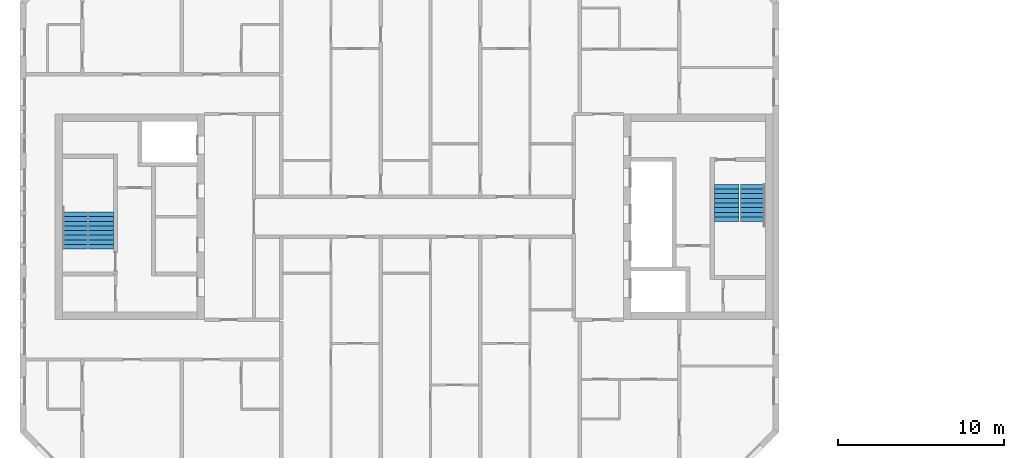
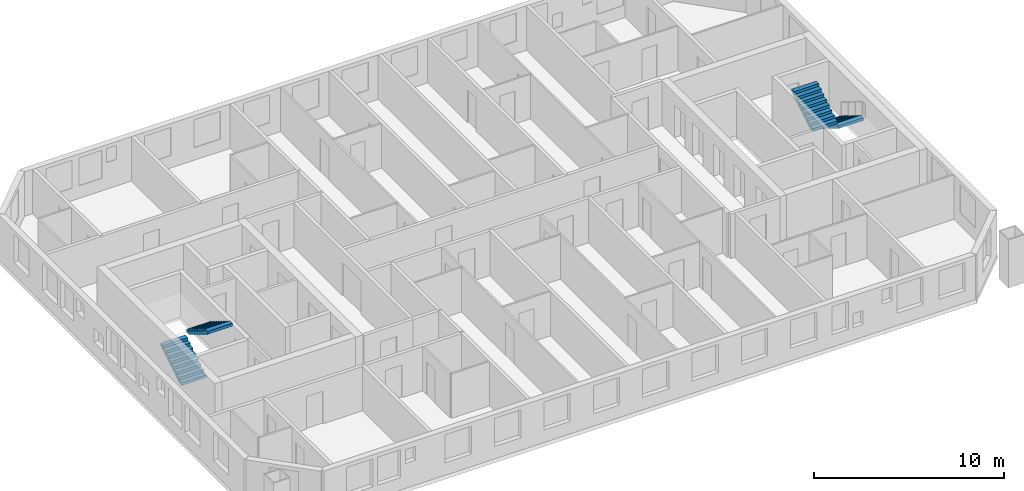
# One storey, part 15 of 16: 4 stair flights, 2 elements without a shape of their own.
"""IFC4 building model written with IfcOpenShell, lengths in metres."""

from ifc_helpers import new_model, si_unit, direction, frame, origin, place, context, subcontext, project, spatial, faceted_brep, material, type_object, element, aggregate, save


model = new_model("IFC4")

# Units and contexts
model_context = context("Model", 3, precision=1e-05, world=origin(), true_north=direction((0.0, 1.0)))
body_context = subcontext(model_context, "Body", "Model", "MODEL_VIEW")
ifc_project = project(units=[si_unit("LENGTHUNIT", "METRE"), si_unit("AREAUNIT", "SQUARE_METRE"), si_unit("VOLUMEUNIT", "CUBIC_METRE"), si_unit("PLANEANGLEUNIT", "RADIAN"), si_unit("MASSUNIT", "GRAM", prefix="KILO")], contexts=[model_context])

# Site, building, storey
site_placement = place(None, origin())
site = spatial("IfcSite", under=ifc_project, at=site_placement, CompositionType="ELEMENT")
building_placement = place(site_placement, origin())
building = spatial("IfcBuilding", under=site, at=building_placement, Name="Tuart Gate Housing", CompositionType="ELEMENT")
storey_placement = place(building_placement, frame((0.0, 0.0, 178.89990234375)))
storey = spatial("IfcBuildingStorey", under=building, at=storey_placement, Name="L50", CompositionType="ELEMENT", Elevation=178.89990234375)

# Stair, stair flights
ifc_material_1 = material(Name="Concrete C40", Category="concrete")
stair_type = type_object("IfcStairType", Name="Core stair 1500", PredefinedType="HALF_TURN_STAIR", material=ifc_material_1)
stair_1_placement = place(storey_placement, origin())
stair_1 = element("IfcStair", 1, at=stair_1_placement, inside=storey, type_object=stair_type, Name="Stair SA1", PredefinedType="HALF_TURN_STAIR")
ifc_material_2 = material(Name="Concrete C40", Category="concrete")
stair_flight_type = type_object("IfcStairFlightType", Name="Stair flight 1500, 9 risers 172 x 280", PredefinedType="STRAIGHT", material=ifc_material_2)
stair_flight_1_placement = place(storey_placement, frame((74.43994140625, 71.949951171875, 0.0), z_axis=(0.0, 0.0, 1.0), x_axis=(0.0, -1.0, 0.0)))
stair_flight_1 = element("IfcStairFlight", 2, at=stair_flight_1_placement, type_object=stair_flight_type, Name="SA1 flight 1", NumberOfRisers=9, NumberOfTreads=8, PredefinedType="STRAIGHT", RiserHeight=0.172222222, TreadLength=0.28, context=body_context, shape_type="Brep", body=[
    faceted_brep([(0.0, 0.75, 0.0), (0.0, 0.75, 0.172119140625), (0.280029296875, 0.75, 0.172119140625), (0.280029296875, 0.75, 0.344482421875), (0.56005859375, 0.75, 0.344482421875), (0.56005859375, 0.75, 0.5166015625), (0.840087890625, 0.75, 0.5166015625), (0.840087890625, 0.75, 0.68896484375), (1.1201171875, 0.75, 0.68896484375), (1.1201171875, 0.75, 0.861083984375), (1.39990234375, 0.75, 0.861083984375), (1.39990234375, 0.75, 1.033447265625), (1.679931640625, 0.75, 1.033447265625), (1.679931640625, 0.75, 1.20556640625), (1.9599609375, 0.75, 1.20556640625), (1.9599609375, 0.75, 1.377685546875), (2.239990234375, 0.75, 1.377685546875), (2.239990234375, 0.75, 1.201904296875), (0.2861328125, 0.75, 0.0), (0.2861328125, -0.75, 0.0), (2.239990234375, -0.75, 1.201904296875), (2.239990234375, -0.75, 1.377685546875), (1.9599609375, -0.75, 1.377685546875), (1.9599609375, -0.75, 1.20556640625), (1.679931640625, -0.75, 1.20556640625), (1.679931640625, -0.75, 1.033447265625), (1.39990234375, -0.75, 1.033447265625), (1.39990234375, -0.75, 0.861083984375), (1.1201171875, -0.75, 0.861083984375), (1.1201171875, -0.75, 0.68896484375), (0.840087890625, -0.75, 0.68896484375), (0.840087890625, -0.75, 0.5166015625), (0.56005859375, -0.75, 0.5166015625), (0.56005859375, -0.75, 0.344482421875), (0.280029296875, -0.75, 0.344482421875), (0.280029296875, -0.75, 0.172119140625), (0.0, -0.75, 0.172119140625), (0.0, -0.75, 0.0), (2.239990234375, 0.0, 1.201904296875), (0.2861328125, 0.0, 0.0), (2.239990234375, 0.0, 1.377685546875), (1.9599609375, 0.0, 1.377685546875), (1.9599609375, 0.0, 1.20556640625), (1.679931640625, 0.0, 1.20556640625), (1.679931640625, 0.0, 1.033447265625), (1.39990234375, 0.0, 1.033447265625), (1.39990234375, 0.0, 0.861083984375), (1.1201171875, 0.0, 0.861083984375), (1.1201171875, 0.0, 0.68896484375), (0.840087890625, 0.0, 0.68896484375), (0.840087890625, 0.0, 0.5166015625), (0.56005859375, 0.0, 0.5166015625), (0.56005859375, 0.0, 0.344482421875), (0.280029296875, 0.0, 0.344482421875), (0.280029296875, 0.0, 0.172119140625), (0.0, 0.0, 0.172119140625), (0.0, 0.0, 0.0)], [[[0, 1, 2, 3, 4, 5, 6, 7, 8, 9, 10, 11, 12, 13, 14, 15, 16, 17, 18]], [[19, 20, 21, 22, 23, 24, 25, 26, 27, 28, 29, 30, 31, 32, 33, 34, 35, 36, 37]], [[18, 17, 38, 39]], [[39, 38, 20, 19]], [[17, 16, 40, 38]], [[38, 40, 21, 20]], [[16, 15, 41, 40]], [[40, 41, 22, 21]], [[15, 14, 42, 41]], [[41, 42, 23, 22]], [[14, 13, 43, 42]], [[42, 43, 24, 23]], [[13, 12, 44, 43]], [[43, 44, 25, 24]], [[12, 11, 45, 44]], [[44, 45, 26, 25]], [[11, 10, 46, 45]], [[45, 46, 27, 26]], [[10, 9, 47, 46]], [[46, 47, 28, 27]], [[9, 8, 48, 47]], [[47, 48, 29, 28]], [[8, 7, 49, 48]], [[48, 49, 30, 29]], [[7, 6, 50, 49]], [[49, 50, 31, 30]], [[6, 5, 51, 50]], [[50, 51, 32, 31]], [[5, 4, 52, 51]], [[51, 52, 33, 32]], [[4, 3, 53, 52]], [[52, 53, 34, 33]], [[3, 2, 54, 53]], [[53, 54, 35, 34]], [[2, 1, 55, 54]], [[54, 55, 36, 35]], [[1, 0, 56, 55]], [[55, 56, 37, 36]], [[0, 18, 39, 56]], [[56, 39, 19, 37]]]),
])
stair_flight_2_placement = place(storey_placement, frame((72.864990234375, 69.7099609375, 1.550048828125), z_axis=(0.0, 0.0, 1.0), x_axis=(0.0, 1.0, 0.0)))
stair_flight_2 = element("IfcStairFlight", 3, at=stair_flight_2_placement, type_object=stair_flight_type, Name="SA1 flight 2", NumberOfRisers=9, NumberOfTreads=8, PredefinedType="STRAIGHT", RiserHeight=0.172222222, TreadLength=0.28, context=body_context, shape_type="Brep", body=[
    faceted_brep([(0.0, 0.75, 0.0), (0.0, 0.75, 0.172119140625), (0.280029296875, 0.75, 0.172119140625), (0.280029296875, 0.75, 0.344482421875), (0.56005859375, 0.75, 0.344482421875), (0.56005859375, 0.75, 0.5166015625), (0.840087890625, 0.75, 0.5166015625), (0.840087890625, 0.75, 0.68896484375), (1.1201171875, 0.75, 0.68896484375), (1.1201171875, 0.75, 0.861083984375), (1.39990234375, 0.75, 0.861083984375), (1.39990234375, 0.75, 1.033447265625), (1.679931640625, 0.75, 1.033447265625), (1.679931640625, 0.75, 1.20556640625), (1.9599609375, 0.75, 1.20556640625), (1.9599609375, 0.75, 1.377685546875), (2.239990234375, 0.75, 1.377685546875), (2.239990234375, 0.75, 1.201904296875), (0.2861328125, 0.75, 0.0), (0.2861328125, -0.75, 0.0), (2.239990234375, -0.75, 1.201904296875), (2.239990234375, -0.75, 1.377685546875), (1.9599609375, -0.75, 1.377685546875), (1.9599609375, -0.75, 1.20556640625), (1.679931640625, -0.75, 1.20556640625), (1.679931640625, -0.75, 1.033447265625), (1.39990234375, -0.75, 1.033447265625), (1.39990234375, -0.75, 0.861083984375), (1.1201171875, -0.75, 0.861083984375), (1.1201171875, -0.75, 0.68896484375), (0.840087890625, -0.75, 0.68896484375), (0.840087890625, -0.75, 0.5166015625), (0.56005859375, -0.75, 0.5166015625), (0.56005859375, -0.75, 0.344482421875), (0.280029296875, -0.75, 0.344482421875), (0.280029296875, -0.75, 0.172119140625), (0.0, -0.75, 0.172119140625), (0.0, -0.75, 0.0), (2.239990234375, 0.0, 1.201904296875), (0.2861328125, 0.0, 0.0), (2.239990234375, 0.0, 1.377685546875), (1.9599609375, 0.0, 1.377685546875), (1.9599609375, 0.0, 1.20556640625), (1.679931640625, 0.0, 1.20556640625), (1.679931640625, 0.0, 1.033447265625), (1.39990234375, 0.0, 1.033447265625), (1.39990234375, 0.0, 0.861083984375), (1.1201171875, 0.0, 0.861083984375), (1.1201171875, 0.0, 0.68896484375), (0.840087890625, 0.0, 0.68896484375), (0.840087890625, 0.0, 0.5166015625), (0.56005859375, 0.0, 0.5166015625), (0.56005859375, 0.0, 0.344482421875), (0.280029296875, 0.0, 0.344482421875), (0.280029296875, 0.0, 0.172119140625), (0.0, 0.0, 0.172119140625), (0.0, 0.0, 0.0)], [[[0, 1, 2, 3, 4, 5, 6, 7, 8, 9, 10, 11, 12, 13, 14, 15, 16, 17, 18]], [[19, 20, 21, 22, 23, 24, 25, 26, 27, 28, 29, 30, 31, 32, 33, 34, 35, 36, 37]], [[18, 17, 38, 39]], [[39, 38, 20, 19]], [[17, 16, 40, 38]], [[38, 40, 21, 20]], [[16, 15, 41, 40]], [[40, 41, 22, 21]], [[15, 14, 42, 41]], [[41, 42, 23, 22]], [[14, 13, 43, 42]], [[42, 43, 24, 23]], [[13, 12, 44, 43]], [[43, 44, 25, 24]], [[12, 11, 45, 44]], [[44, 45, 26, 25]], [[11, 10, 46, 45]], [[45, 46, 27, 26]], [[10, 9, 47, 46]], [[46, 47, 28, 27]], [[9, 8, 48, 47]], [[47, 48, 29, 28]], [[8, 7, 49, 48]], [[48, 49, 30, 29]], [[7, 6, 50, 49]], [[49, 50, 31, 30]], [[6, 5, 51, 50]], [[50, 51, 32, 31]], [[5, 4, 52, 51]], [[51, 52, 33, 32]], [[4, 3, 53, 52]], [[52, 53, 34, 33]], [[3, 2, 54, 53]], [[53, 54, 35, 34]], [[2, 1, 55, 54]], [[54, 55, 36, 35]], [[1, 0, 56, 55]], [[55, 56, 37, 36]], [[0, 18, 39, 56]], [[56, 39, 19, 37]]]),
])
aggregate(stair_1, [stair_flight_1, stair_flight_2])

stair_2_placement = place(storey_placement, origin())
stair_2 = element("IfcStair", 4, at=stair_2_placement, inside=storey, type_object=stair_type, Name="Stair SA2", PredefinedType="HALF_TURN_STAIR")
stair_flight_3_placement = place(storey_placement, frame((33.56005859375, 68.050048828125, 0.0), z_axis=(0.0, 0.0, 1.0), x_axis=(0.0, 1.0, 0.0)))
stair_flight_3 = element("IfcStairFlight", 5, at=stair_flight_3_placement, type_object=stair_flight_type, Name="SA2 flight 1", NumberOfRisers=9, NumberOfTreads=8, PredefinedType="STRAIGHT", RiserHeight=0.172222222, TreadLength=0.28, context=body_context, shape_type="Brep", body=[
    faceted_brep([(0.0, 0.75, 0.0), (0.0, 0.75, 0.172119140625), (0.280029296875, 0.75, 0.172119140625), (0.280029296875, 0.75, 0.344482421875), (0.56005859375, 0.75, 0.344482421875), (0.56005859375, 0.75, 0.5166015625), (0.840087890625, 0.75, 0.5166015625), (0.840087890625, 0.75, 0.68896484375), (1.1201171875, 0.75, 0.68896484375), (1.1201171875, 0.75, 0.861083984375), (1.39990234375, 0.75, 0.861083984375), (1.39990234375, 0.75, 1.033447265625), (1.679931640625, 0.75, 1.033447265625), (1.679931640625, 0.75, 1.20556640625), (1.9599609375, 0.75, 1.20556640625), (1.9599609375, 0.75, 1.377685546875), (2.239990234375, 0.75, 1.377685546875), (2.239990234375, 0.75, 1.201904296875), (0.2861328125, 0.75, 0.0), (0.2861328125, -0.75, 0.0), (2.239990234375, -0.75, 1.201904296875), (2.239990234375, -0.75, 1.377685546875), (1.9599609375, -0.75, 1.377685546875), (1.9599609375, -0.75, 1.20556640625), (1.679931640625, -0.75, 1.20556640625), (1.679931640625, -0.75, 1.033447265625), (1.39990234375, -0.75, 1.033447265625), (1.39990234375, -0.75, 0.861083984375), (1.1201171875, -0.75, 0.861083984375), (1.1201171875, -0.75, 0.68896484375), (0.840087890625, -0.75, 0.68896484375), (0.840087890625, -0.75, 0.5166015625), (0.56005859375, -0.75, 0.5166015625), (0.56005859375, -0.75, 0.344482421875), (0.280029296875, -0.75, 0.344482421875), (0.280029296875, -0.75, 0.172119140625), (0.0, -0.75, 0.172119140625), (0.0, -0.75, 0.0), (2.239990234375, 0.0, 1.201904296875), (0.2861328125, 0.0, 0.0), (2.239990234375, 0.0, 1.377685546875), (1.9599609375, 0.0, 1.377685546875), (1.9599609375, 0.0, 1.20556640625), (1.679931640625, 0.0, 1.20556640625), (1.679931640625, 0.0, 1.033447265625), (1.39990234375, 0.0, 1.033447265625), (1.39990234375, 0.0, 0.861083984375), (1.1201171875, 0.0, 0.861083984375), (1.1201171875, 0.0, 0.68896484375), (0.840087890625, 0.0, 0.68896484375), (0.840087890625, 0.0, 0.5166015625), (0.56005859375, 0.0, 0.5166015625), (0.56005859375, 0.0, 0.344482421875), (0.280029296875, 0.0, 0.344482421875), (0.280029296875, 0.0, 0.172119140625), (0.0, 0.0, 0.172119140625), (0.0, 0.0, 0.0)], [[[0, 1, 2, 3, 4, 5, 6, 7, 8, 9, 10, 11, 12, 13, 14, 15, 16, 17, 18]], [[19, 20, 21, 22, 23, 24, 25, 26, 27, 28, 29, 30, 31, 32, 33, 34, 35, 36, 37]], [[18, 17, 38, 39]], [[39, 38, 20, 19]], [[17, 16, 40, 38]], [[38, 40, 21, 20]], [[16, 15, 41, 40]], [[40, 41, 22, 21]], [[15, 14, 42, 41]], [[41, 42, 23, 22]], [[14, 13, 43, 42]], [[42, 43, 24, 23]], [[13, 12, 44, 43]], [[43, 44, 25, 24]], [[12, 11, 45, 44]], [[44, 45, 26, 25]], [[11, 10, 46, 45]], [[45, 46, 27, 26]], [[10, 9, 47, 46]], [[46, 47, 28, 27]], [[9, 8, 48, 47]], [[47, 48, 29, 28]], [[8, 7, 49, 48]], [[48, 49, 30, 29]], [[7, 6, 50, 49]], [[49, 50, 31, 30]], [[6, 5, 51, 50]], [[50, 51, 32, 31]], [[5, 4, 52, 51]], [[51, 52, 33, 32]], [[4, 3, 53, 52]], [[52, 53, 34, 33]], [[3, 2, 54, 53]], [[53, 54, 35, 34]], [[2, 1, 55, 54]], [[54, 55, 36, 35]], [[1, 0, 56, 55]], [[55, 56, 37, 36]], [[0, 18, 39, 56]], [[56, 39, 19, 37]]]),
])
stair_flight_4_placement = place(storey_placement, frame((35.135009765625, 70.2900390625, 1.550048828125), z_axis=(0.0, 0.0, 1.0), x_axis=(0.0, -1.0, 0.0)))
stair_flight_4 = element("IfcStairFlight", 6, at=stair_flight_4_placement, type_object=stair_flight_type, Name="SA2 flight 2", NumberOfRisers=9, NumberOfTreads=8, PredefinedType="STRAIGHT", RiserHeight=0.172222222, TreadLength=0.28, context=body_context, shape_type="Brep", body=[
    faceted_brep([(0.0, 0.75, 0.0), (0.0, 0.75, 0.172119140625), (0.280029296875, 0.75, 0.172119140625), (0.280029296875, 0.75, 0.344482421875), (0.56005859375, 0.75, 0.344482421875), (0.56005859375, 0.75, 0.5166015625), (0.840087890625, 0.75, 0.5166015625), (0.840087890625, 0.75, 0.68896484375), (1.1201171875, 0.75, 0.68896484375), (1.1201171875, 0.75, 0.861083984375), (1.39990234375, 0.75, 0.861083984375), (1.39990234375, 0.75, 1.033447265625), (1.679931640625, 0.75, 1.033447265625), (1.679931640625, 0.75, 1.20556640625), (1.9599609375, 0.75, 1.20556640625), (1.9599609375, 0.75, 1.377685546875), (2.239990234375, 0.75, 1.377685546875), (2.239990234375, 0.75, 1.201904296875), (0.2861328125, 0.75, 0.0), (0.2861328125, -0.75, 0.0), (2.239990234375, -0.75, 1.201904296875), (2.239990234375, -0.75, 1.377685546875), (1.9599609375, -0.75, 1.377685546875), (1.9599609375, -0.75, 1.20556640625), (1.679931640625, -0.75, 1.20556640625), (1.679931640625, -0.75, 1.033447265625), (1.39990234375, -0.75, 1.033447265625), (1.39990234375, -0.75, 0.861083984375), (1.1201171875, -0.75, 0.861083984375), (1.1201171875, -0.75, 0.68896484375), (0.840087890625, -0.75, 0.68896484375), (0.840087890625, -0.75, 0.5166015625), (0.56005859375, -0.75, 0.5166015625), (0.56005859375, -0.75, 0.344482421875), (0.280029296875, -0.75, 0.344482421875), (0.280029296875, -0.75, 0.172119140625), (0.0, -0.75, 0.172119140625), (0.0, -0.75, 0.0), (2.239990234375, 0.0, 1.201904296875), (0.2861328125, 0.0, 0.0), (2.239990234375, 0.0, 1.377685546875), (1.9599609375, 0.0, 1.377685546875), (1.9599609375, 0.0, 1.20556640625), (1.679931640625, 0.0, 1.20556640625), (1.679931640625, 0.0, 1.033447265625), (1.39990234375, 0.0, 1.033447265625), (1.39990234375, 0.0, 0.861083984375), (1.1201171875, 0.0, 0.861083984375), (1.1201171875, 0.0, 0.68896484375), (0.840087890625, 0.0, 0.68896484375), (0.840087890625, 0.0, 0.5166015625), (0.56005859375, 0.0, 0.5166015625), (0.56005859375, 0.0, 0.344482421875), (0.280029296875, 0.0, 0.344482421875), (0.280029296875, 0.0, 0.172119140625), (0.0, 0.0, 0.172119140625), (0.0, 0.0, 0.0)], [[[0, 1, 2, 3, 4, 5, 6, 7, 8, 9, 10, 11, 12, 13, 14, 15, 16, 17, 18]], [[19, 20, 21, 22, 23, 24, 25, 26, 27, 28, 29, 30, 31, 32, 33, 34, 35, 36, 37]], [[18, 17, 38, 39]], [[39, 38, 20, 19]], [[17, 16, 40, 38]], [[38, 40, 21, 20]], [[16, 15, 41, 40]], [[40, 41, 22, 21]], [[15, 14, 42, 41]], [[41, 42, 23, 22]], [[14, 13, 43, 42]], [[42, 43, 24, 23]], [[13, 12, 44, 43]], [[43, 44, 25, 24]], [[12, 11, 45, 44]], [[44, 45, 26, 25]], [[11, 10, 46, 45]], [[45, 46, 27, 26]], [[10, 9, 47, 46]], [[46, 47, 28, 27]], [[9, 8, 48, 47]], [[47, 48, 29, 28]], [[8, 7, 49, 48]], [[48, 49, 30, 29]], [[7, 6, 50, 49]], [[49, 50, 31, 30]], [[6, 5, 51, 50]], [[50, 51, 32, 31]], [[5, 4, 52, 51]], [[51, 52, 33, 32]], [[4, 3, 53, 52]], [[52, 53, 34, 33]], [[3, 2, 54, 53]], [[53, 54, 35, 34]], [[2, 1, 55, 54]], [[54, 55, 36, 35]], [[1, 0, 56, 55]], [[55, 56, 37, 36]], [[0, 18, 39, 56]], [[56, 39, 19, 37]]]),
])
aggregate(stair_2, [stair_flight_3, stair_flight_4])

save(model, "model.ifc")
